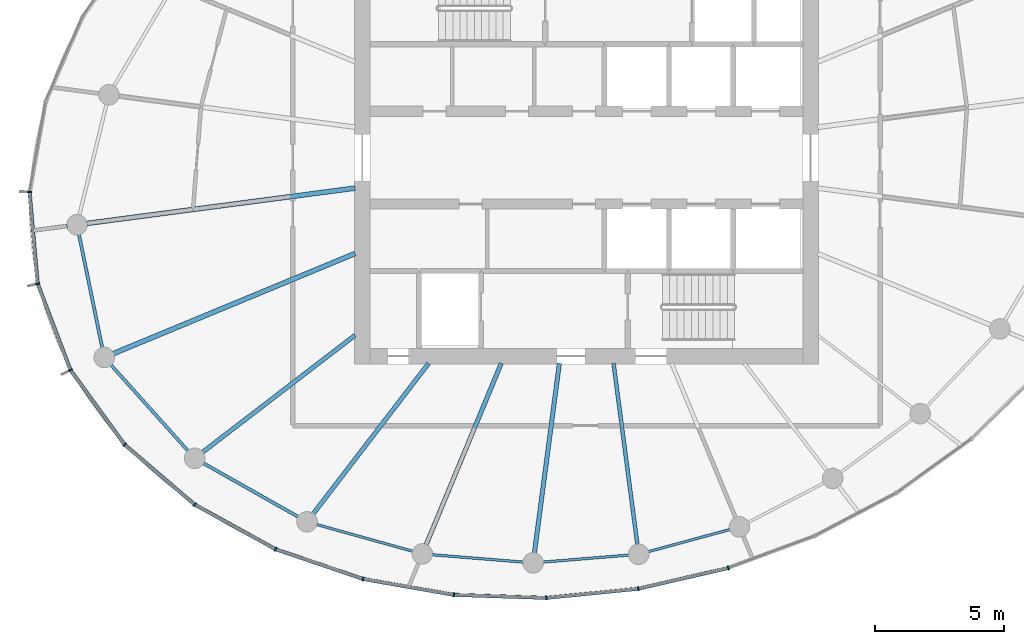
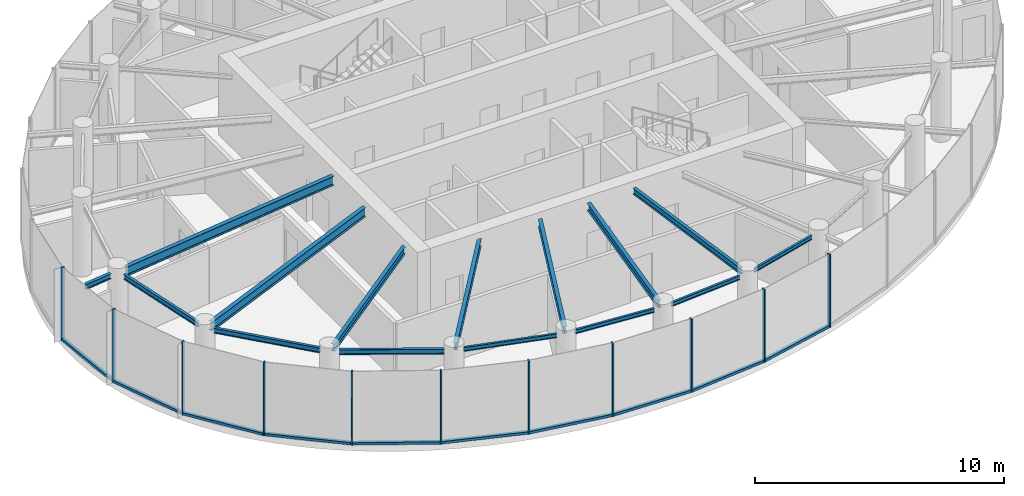
# One storey, part 2 of 13: 21 members, 15 beams, 3 elements without a shape of their own.
"""IFC4 building model written with IfcOpenShell, lengths in metres."""

import ifcopenshell
import ifcopenshell.guid

model = None  # the IFC model being written
_history = None  # IfcOwnerHistory: only IFC2X3 demands one
_inside = {}  # id of a spatial element -> (the spatial element, [elements in it])
_under = {}  # id of a project, library or spatial element -> (it, [spatial elements below it])
_declared = {}  # id of a project -> (the project, [libraries it declares])
_typed = {}  # id of a type object -> (the type object, [elements of that type])
_made_of = {}  # id of a material, layer set ... -> (it, [elements and type objects made of it])


def new_model(schema):
    """Start an empty IFC model of exactly this schema.

    Asked for "IFC4X3", IfcOpenShell would pick the latest addendum, in which some entities
    have other attributes; the version numbers below select the first issue.
    IFC2X3 requires an IfcOwnerHistory on every rooted entity: one is made here for all.
    """
    global model, _history
    if schema == "IFC4X3":
        model = ifcopenshell.file(schema_version=(4, 3, 0, 0))
    else:
        model = ifcopenshell.file(schema=schema)
    _inside.clear()
    _under.clear()
    _declared.clear()
    _typed.clear()
    _made_of.clear()
    _history = None
    if model.schema == "IFC2X3":
        org = make("IfcOrganization", Name="unknown")
        user = make(
            "IfcPersonAndOrganization",
            ThePerson=make("IfcPerson", FamilyName="unknown"),
            TheOrganization=org,
        )
        app = make(
            "IfcApplication",
            ApplicationDeveloper=org,
            Version="unknown",
            ApplicationFullName="unknown",
            ApplicationIdentifier="unknown",
        )
        _history = make(
            "IfcOwnerHistory",
            OwningUser=user,
            OwningApplication=app,
            ChangeAction="ADDED",
            CreationDate=0,
        )
    return model


def make(cls, **values):
    """One entity of the class cls with the attributes given. An attribute that is None is left unset."""
    return model.create_entity(
        cls, **{name: value for name, value in values.items() if value is not None}
    )


def rooted(cls, **values):
    """An entity with a GlobalId (a new one), such as an element, a storey or a relation."""
    return make(cls, GlobalId=ifcopenshell.guid.new(), OwnerHistory=_history, **values)


def si_unit(unit_type, name, prefix=None):
    """IfcSIUnit, for example si_unit("LENGTHUNIT", "METRE", prefix="MILLI")."""
    return make("IfcSIUnit", UnitType=unit_type, Prefix=prefix, Name=name)


def assignment(units):
    """IfcUnitAssignment: the units of a project."""
    return None if units is None else make("IfcUnitAssignment", Units=units)


def point(xyz):
    """IfcCartesianPoint."""
    return None if xyz is None else make("IfcCartesianPoint", Coordinates=xyz)


def direction(xyz):
    """IfcDirection."""
    return None if xyz is None else make("IfcDirection", DirectionRatios=xyz)


def frame(location, z_axis=None, x_axis=None):
    """IfcAxis2Placement3D, a coordinate frame: its origin and axes. An axis left out is left unset."""
    return make(
        "IfcAxis2Placement3D",
        Location=point(location),
        Axis=direction(z_axis),
        RefDirection=direction(x_axis),
    )


def frame_2d(location, x_axis=None):
    """IfcAxis2Placement2D, a coordinate frame in the plane: its origin and x axis."""
    return make(
        "IfcAxis2Placement2D", Location=point(location), RefDirection=direction(x_axis)
    )


def origin():
    """The frame at (0, 0, 0) with its axes left unset."""
    return frame((0.0, 0.0, 0.0))


def origin_2d():
    """The frame at (0, 0) in the plane with its x axis left unset."""
    return frame_2d((0.0, 0.0))


def place(relative_to, where):
    """IfcLocalPlacement: puts the frame where relative to a parent placement (None: the world)."""
    return make(
        "IfcLocalPlacement", PlacementRelTo=relative_to, RelativePlacement=where
    )


def context(
    kind, dimensions, precision=None, world=None, true_north=None, identifier=None
):
    """IfcGeometricRepresentationContext, for example the 3D "Model" context."""
    return make(
        "IfcGeometricRepresentationContext",
        ContextIdentifier=identifier,
        ContextType=kind,
        CoordinateSpaceDimension=dimensions,
        Precision=precision,
        WorldCoordinateSystem=world,
        TrueNorth=true_north,
    )


def subcontext(parent, identifier, kind, view, scale=None):
    """IfcGeometricRepresentationSubContext, for example "Body" below "Model"."""
    return make(
        "IfcGeometricRepresentationSubContext",
        ContextIdentifier=identifier,
        ContextType=kind,
        ParentContext=parent,
        TargetScale=scale,
        TargetView=view,
    )


def project(units=None, contexts=None):
    """IfcProject with its units and contexts."""
    return rooted(
        "IfcProject",
        Name="project",
        RepresentationContexts=contexts,
        UnitsInContext=assignment(units),
    )


def spatial(cls, under=None, at=None, **own):
    """A site, building, storey or space (cls), placed at a placement, below another one or the project."""
    s = rooted(cls, ObjectPlacement=at, **own)
    if under is not None:
        _under.setdefault(under.id(), (under, []))[1].append(s)
    return s


def profile(cls, at=None, kind="AREA", **sizes):
    """A parametric profile (cls). Its sizes go by their IFC names, for example OverallWidth=200.0."""
    return make(cls, ProfileType=kind, Position=at, **sizes)


def rectangle(**sizes):
    """IfcRectangleProfileDef."""
    return profile("IfcRectangleProfileDef", **sizes)


def i_section(**sizes):
    """IfcIShapeProfileDef."""
    return profile("IfcIShapeProfileDef", **sizes)


def extrude(swept, where, along, depth):
    """IfcExtrudedAreaSolid: the profile swept, set in the frame where, extruded along a direction by depth."""
    return make(
        "IfcExtrudedAreaSolid",
        SweptArea=swept,
        Position=where,
        ExtrudedDirection=direction(along),
        Depth=depth,
    )


def shape(context_of_items, identifier, shape_type, items):
    """IfcShapeRepresentation: the items that make up one representation, for example the "Body"."""
    return make(
        "IfcShapeRepresentation",
        ContextOfItems=context_of_items,
        RepresentationIdentifier=identifier,
        RepresentationType=shape_type,
        Items=items,
    )


def source(mapping_origin, context_of_items, identifier, shape_type, items):
    """IfcRepresentationMap: a shape defined once, which mapped items show again and again."""
    return make(
        "IfcRepresentationMap",
        MappingOrigin=mapping_origin,
        MappedRepresentation=shape(context_of_items, identifier, shape_type, items),
    )


def transform(
    local_origin,
    x_axis=None,
    y_axis=None,
    z_axis=None,
    scale=None,
    scale2=None,
    scale3=None,
    uniform=True,
):
    """IfcCartesianTransformationOperator3D, or its non-uniform kind. x_axis, y_axis, z_axis: its Axis1, 2, 3."""
    if uniform:
        return make(
            "IfcCartesianTransformationOperator3D",
            Axis1=direction(x_axis),
            Axis2=direction(y_axis),
            LocalOrigin=point(local_origin),
            Scale=scale,
            Axis3=direction(z_axis),
        )
    return make(
        "IfcCartesianTransformationOperator3DnonUniform",
        Axis1=direction(x_axis),
        Axis2=direction(y_axis),
        LocalOrigin=point(local_origin),
        Scale=scale,
        Axis3=direction(z_axis),
        Scale2=scale2,
        Scale3=scale3,
    )


def mapped(mapping_source, mapping_target):
    """IfcMappedItem: shows the shape of a source again, moved by a transform."""
    return make(
        "IfcMappedItem", MappingSource=mapping_source, MappingTarget=mapping_target
    )


def material(Name=None, Category=None):
    """IfcMaterial."""
    return make("IfcMaterial", Name=Name, Category=Category)


def layer(
    of_material, thickness, ventilated=None, Name=None, Category=None, Priority=None
):
    """IfcMaterialLayer: one layer of a wall or slab, of a material (None: an air gap)."""
    return make(
        "IfcMaterialLayer",
        Material=of_material,
        LayerThickness=thickness,
        IsVentilated=ventilated,
        Name=Name,
        Category=Category,
        Priority=Priority,
    )


def layer_set(layers, Name=None):
    """IfcMaterialLayerSet."""
    return make("IfcMaterialLayerSet", MaterialLayers=layers, LayerSetName=Name)


def material_profile(
    of_material, cross_section, Name=None, Category=None, Priority=None
):
    """IfcMaterialProfile: a cross section and its material."""
    return make(
        "IfcMaterialProfile",
        Name=Name,
        Material=of_material,
        Profile=cross_section,
        Priority=Priority,
        Category=Category,
    )


def profile_set(profiles, Name=None, composite=None):
    """IfcMaterialProfileSet."""
    return make(
        "IfcMaterialProfileSet",
        Name=Name,
        MaterialProfiles=profiles,
        CompositeProfile=composite,
    )


def made_of(thing, what):
    """Note that an element or type object is made of a material, layer set ...; save() writes the relation."""
    if what is not None:
        _made_of.setdefault(what.id(), (what, []))[1].append(thing)
    return thing


def type_object(cls, material=None, **own):
    """A type object (cls), such as IfcWallType, which elements share."""
    return made_of(rooted(cls, **own), material)


def element(
    cls,
    number,
    at=None,
    inside=None,
    cuts=None,
    type_object=None,
    material=None,
    context=None,
    identifier="Body",
    shape_type=None,
    held_by="IfcProductDefinitionShape",
    body=None,
    shapes=None,
    **own,
):
    """One element of the class cls, such as IfcWall. Its Tag is "e" and its number.

    at: its placement. inside: the storey or other place that contains it. cuts: it is an
    opening in that element (IfcRelVoidsElement). A single representation is given by context,
    identifier, shape_type and body (its items); several are given by shapes. held_by: the class
    of the entity that holds the representations. save() writes the other relations.
    """
    e = rooted(cls, Tag="e%d" % number, ObjectPlacement=at, **own)
    if body is not None:
        shapes = [shape(context, identifier, shape_type, body)]
    if shapes is not None:
        e.Representation = make(held_by, Representations=shapes)
    if inside is not None:
        _inside.setdefault(inside.id(), (inside, []))[1].append(e)
    if cuts is not None:
        rooted(
            "IfcRelVoidsElement", RelatingBuildingElement=cuts, RelatedOpeningElement=e
        )
    if type_object is not None:
        _typed.setdefault(type_object.id(), (type_object, []))[1].append(e)
    return made_of(e, material)


def aggregate(whole, parts):
    """IfcRelAggregates: a whole, such as a stair, and the parts it consists of."""
    return rooted("IfcRelAggregates", RelatingObject=whole, RelatedObjects=parts)


def save(model, path):
    """Write the relations noted so far, then the file.

    IfcRelAggregates (storeys below a building ...), IfcRelContainedInSpatialStructure (elements
    in a storey), IfcRelDefinesByType, IfcRelAssociatesMaterial and IfcRelDeclares: one each for
    every whole, place, type object, material and project.
    """
    for whole, parts in _under.values():
        aggregate(whole, parts)
    for where, things in _inside.values():
        rooted(
            "IfcRelContainedInSpatialStructure",
            RelatedElements=things,
            RelatingStructure=where,
        )
    for kind, things in _typed.values():
        rooted("IfcRelDefinesByType", RelatedObjects=things, RelatingType=kind)
    for what, things in _made_of.values():
        rooted("IfcRelAssociatesMaterial", RelatedObjects=things, RelatingMaterial=what)
    for by, libraries in _declared.values():
        rooted("IfcRelDeclares", RelatingContext=by, RelatedDefinitions=libraries)
    model.write(path)


model = new_model("IFC4")

# Units and contexts
model_context = context("Model", 3, precision=1e-05, world=origin(), true_north=direction((0.0, 1.0)))
body_context = subcontext(model_context, "Body", "Model", "MODEL_VIEW")
ifc_project = project(units=[si_unit("LENGTHUNIT", "METRE"), si_unit("AREAUNIT", "SQUARE_METRE"), si_unit("VOLUMEUNIT", "CUBIC_METRE"), si_unit("PLANEANGLEUNIT", "RADIAN"), si_unit("MASSUNIT", "GRAM", prefix="KILO")], contexts=[model_context])

# Site, building, storey
site_placement = place(None, origin())
site = spatial("IfcSite", under=ifc_project, at=site_placement, CompositionType="ELEMENT")
building_placement = place(site_placement, origin())
building = spatial("IfcBuilding", under=site, at=building_placement, Name="Spindrift Exchange Tower", CompositionType="ELEMENT")
storey_placement = place(building_placement, frame((0.0, 0.0, 261.800048828125)))
storey = spatial("IfcBuildingStorey", under=building, at=storey_placement, Name="L64", CompositionType="ELEMENT", Elevation=261.800048828125)

# Beams
ifc_material_1 = material(Name="Steel Grade 300", Category="steel")
ifc_material_profile_1 = material_profile(ifc_material_1, i_section(OverallWidth=0.18994140625, OverallDepth=0.4541015625, WebThickness=0.008544921875, FlangeThickness=0.0126953125, FilletRadius=0.013916015625, at=origin_2d()), Name="460UB67.1")
ifc_profile_set_1 = profile_set([ifc_material_profile_1], Name="Steel Grade 300")
beam_type_1 = type_object("IfcBeamType", Name="Floor Beam 460UB67.1 Steel Grade 300", PredefinedType="BEAM", material=ifc_profile_set_1)
shared_shape_1 = source(origin(), body_context, "Body", "SweptSolid", [
    extrude(i_section(OverallWidth=0.18994140625, OverallDepth=0.4541015625, WebThickness=0.008544921875, FlangeThickness=0.0126953125, FilletRadius=0.013916015625, at=origin_2d()), origin(), (0.0, 0.0, 1.0), 10.510009765625),
])
beam_1_placement = place(storey_placement, frame((43.019775390625, 46.817626953125, 3.35302734375), z_axis=(-0.991445042488, -0.130524816516, 0.0), x_axis=(0.130524816516, -0.991445042488, 0.0)))
element("IfcBeam", 1, at=beam_1_placement, inside=storey, type_object=beam_type_1, Name="L64 radial beam R13A", PredefinedType="BEAM", context=body_context, shape_type="MappedRepresentation", body=[
    mapped(shared_shape_1, transform((0.0, 0.0, 0.0), scale=1.0)),
])
shared_shape_2 = source(origin(), body_context, "Body", "SweptSolid", [
    extrude(i_section(OverallWidth=0.18994140625, OverallDepth=0.4541015625, WebThickness=0.008544921875, FlangeThickness=0.0126953125, FilletRadius=0.013916015625, at=origin_2d()), origin(), (0.0, 0.0, 1.0), 10.160400390625),
])
beam_2_placement = place(storey_placement, frame((43.0185546875, 44.27978515625, 3.35302734375), z_axis=(-0.923880358773, -0.382681437588, 0.0), x_axis=(0.382681437588, -0.923880358773, 0.0)))
element("IfcBeam", 2, at=beam_2_placement, inside=storey, type_object=beam_type_1, Name="L64 radial beam R14A", PredefinedType="BEAM", context=body_context, shape_type="MappedRepresentation", body=[
    mapped(shared_shape_2, transform((0.0, 0.0, 0.0), scale=1.0)),
])
ifc_material_profile_2 = material_profile(ifc_material_1, i_section(OverallWidth=0.1708984375, OverallDepth=0.35205078125, WebThickness=0.0068359375, FlangeThickness=0.009765625, FilletRadius=0.013916015625, at=origin_2d()), Name="360UB44.7")
ifc_profile_set_2 = profile_set([ifc_material_profile_2], Name="Steel Grade 300")
beam_type_2 = type_object("IfcBeamType", Name="Floor Beam 360UB44.7 Steel Grade 300", PredefinedType="BEAM", material=ifc_profile_set_2)
shared_shape_3 = source(origin(), body_context, "Body", "SweptSolid", [
    extrude(i_section(OverallWidth=0.1708984375, OverallDepth=0.35205078125, WebThickness=0.0068359375, FlangeThickness=0.009765625, FilletRadius=0.013916015625, at=origin_2d()), origin(), (0.0, 0.0, 1.0), 7.466796875),
])
beam_3_placement = place(storey_placement, frame((43.015869140625, 41.106201171875, 3.404052734375), z_axis=(-0.793360004804, -0.608752743548, 0.0), x_axis=(0.608752743548, -0.793360004804, 0.0)))
element("IfcBeam", 3, at=beam_3_placement, inside=storey, type_object=beam_type_2, Name="L64 radial beam R15A", PredefinedType="BEAM", context=body_context, shape_type="MappedRepresentation", body=[
    mapped(shared_shape_3, transform((0.0, 0.0, 0.0), scale=1.0)),
])
shared_shape_4 = source(origin(), body_context, "Body", "SweptSolid", [
    extrude(i_section(OverallWidth=0.1708984375, OverallDepth=0.35205078125, WebThickness=0.0068359375, FlangeThickness=0.009765625, FilletRadius=0.013916015625, at=origin_2d()), origin(), (0.0, 0.0, 1.0), 7.3740234375),
])
beam_4_placement = place(storey_placement, frame((45.87353515625, 40.015869140625, 3.404052734375), z_axis=(-0.608751913917, -0.793360641387, 0.0), x_axis=(0.793360641387, -0.608751913917, 0.0)))
element("IfcBeam", 4, at=beam_4_placement, inside=storey, type_object=beam_type_2, Name="L64 radial beam R16A", PredefinedType="BEAM", context=body_context, shape_type="MappedRepresentation", body=[
    mapped(shared_shape_4, transform((0.0, 0.0, 0.0), scale=1.0)),
])
shared_shape_5 = source(origin(), body_context, "Body", "SweptSolid", [
    extrude(i_section(OverallWidth=0.1708984375, OverallDepth=0.35205078125, WebThickness=0.0068359375, FlangeThickness=0.009765625, FilletRadius=0.013916015625, at=origin_2d()), origin(), (0.0, 0.0, 1.0), 7.630859375),
])
beam_5_placement = place(storey_placement, frame((48.69384765625, 40.0185546875, 3.404052734375), z_axis=(-0.382676740702, -0.92388230426, 0.0), x_axis=(0.92388230426, -0.382676740702, 0.0)))
element("IfcBeam", 5, at=beam_5_placement, inside=storey, type_object=beam_type_2, Name="L64 radial beam R17A", PredefinedType="BEAM", context=body_context, shape_type="MappedRepresentation", body=[
    mapped(shared_shape_5, transform((0.0, 0.0, 0.0), scale=1.0)),
])
shared_shape_6 = source(origin(), body_context, "Body", "SweptSolid", [
    extrude(i_section(OverallWidth=0.1708984375, OverallDepth=0.35205078125, WebThickness=0.0068359375, FlangeThickness=0.009765625, FilletRadius=0.013916015625, at=origin_2d()), origin(), (0.0, 0.0, 1.0), 7.43798828125),
])
beam_6_placement = place(storey_placement, frame((50.949462890625, 40.019775390625, 3.404052734375), z_axis=(-0.130540269579, -0.991443007953, 0.0), x_axis=(0.991443007953, -0.130540269579, 0.0)))
element("IfcBeam", 6, at=beam_6_placement, inside=storey, type_object=beam_type_2, Name="L64 radial beam R18A", PredefinedType="BEAM", context=body_context, shape_type="MappedRepresentation", body=[
    mapped(shared_shape_6, transform((0.0, 0.0, 0.0), scale=1.0)),
])
ifc_material_profile_3 = material_profile(ifc_material_1, i_section(OverallWidth=0.14892578125, OverallDepth=0.298095703125, WebThickness=0.005615234375, FlangeThickness=0.008056640625, FilletRadius=0.012939453125, at=origin_2d()), Name="310UB32.0")
ifc_profile_set_3 = profile_set([ifc_material_profile_3], Name="Steel Grade 300")
beam_type_3 = type_object("IfcBeamType", Name="Floor Beam 310UB32.0 Steel Grade 300", PredefinedType="BEAM", material=ifc_profile_set_3)
shared_shape_7 = source(origin(), body_context, "Body", "SweptSolid", [
    extrude(i_section(OverallWidth=0.14892578125, OverallDepth=0.298095703125, WebThickness=0.005615234375, FlangeThickness=0.008056640625, FilletRadius=0.012939453125, at=origin_2d()), origin(), (0.0, 0.0, 1.0), 7.099853515625),
])
beam_7_placement = place(storey_placement, frame((53.050537109375, 40.019775390625, 3.430908203125), z_axis=(0.130532789835, -0.991443992759, 0.0), x_axis=(0.991443992759, 0.130532789835, 0.0)))
element("IfcBeam", 7, at=beam_7_placement, inside=storey, type_object=beam_type_3, Name="L64 radial beam R19A", PredefinedType="BEAM", context=body_context, shape_type="MappedRepresentation", body=[
    mapped(shared_shape_7, transform((0.0, 0.0, 0.0), scale=1.0)),
])
ifc_material_profile_4 = material_profile(ifc_material_1, i_section(OverallWidth=0.1240234375, OverallDepth=0.248046875, WebThickness=0.0048828125, FlangeThickness=0.008056640625, FilletRadius=0.011962890625, at=origin_2d()), Name="250UB25.7")
ifc_profile_set_4 = profile_set([ifc_material_profile_4], Name="Steel Grade 300")
beam_type_4 = type_object("IfcBeamType", Name="Edge Beam 250UB25.7 Steel Grade 300", PredefinedType="SPANDREL", material=ifc_profile_set_4)
shared_shape_8 = source(origin(), body_context, "Body", "SweptSolid", [
    extrude(i_section(OverallWidth=0.1240234375, OverallDepth=0.248046875, WebThickness=0.0048828125, FlangeThickness=0.008056640625, FilletRadius=0.011962890625, at=origin_2d()), origin(), (0.0, 0.0, 1.0), 4.497802734375),
])
beam_8_placement = place(storey_placement, frame((32.299072265625, 45.024169921875, 3.4560546875), z_axis=(0.201217935785, -0.979546498293, 0.0), x_axis=(0.979546498293, 0.201217935785, 0.0)))
element("IfcBeam", 8, at=beam_8_placement, inside=storey, type_object=beam_type_4, Name="L64 edge beam E13", PredefinedType="SPANDREL", context=body_context, shape_type="MappedRepresentation", body=[
    mapped(shared_shape_8, transform((0.0, 0.0, 0.0), scale=1.0)),
])
shared_shape_9 = source(origin(), body_context, "Body", "SweptSolid", [
    extrude(i_section(OverallWidth=0.1240234375, OverallDepth=0.248046875, WebThickness=0.0048828125, FlangeThickness=0.008056640625, FilletRadius=0.011962890625, at=origin_2d()), origin(), (0.0, 0.0, 1.0), 4.499755859375),
])
beam_9_placement = place(storey_placement, frame((33.533935546875, 39.963134765625, 3.4560546875), z_axis=(0.667419502646, -0.744681950558, 0.0), x_axis=(0.744681950558, 0.667419502646, 0.0)))
element("IfcBeam", 9, at=beam_9_placement, inside=storey, type_object=beam_type_4, Name="L64 edge beam E14", PredefinedType="SPANDREL", context=body_context, shape_type="MappedRepresentation", body=[
    mapped(shared_shape_9, transform((0.0, 0.0, 0.0), scale=1.0)),
])
shared_shape_10 = source(origin(), body_context, "Body", "SweptSolid", [
    extrude(i_section(OverallWidth=0.1240234375, OverallDepth=0.248046875, WebThickness=0.0048828125, FlangeThickness=0.008056640625, FilletRadius=0.011962890625, at=origin_2d()), origin(), (0.0, 0.0, 1.0), 4.2509765625),
])
beam_10_placement = place(storey_placement, frame((37.121337890625, 36.142333984375, 3.4560546875), z_axis=(0.870615246867, -0.491964523033, 0.0), x_axis=(0.491964523033, 0.870615246867, 0.0)))
element("IfcBeam", 10, at=beam_10_placement, inside=storey, type_object=beam_type_4, Name="L64 edge beam E15", PredefinedType="SPANDREL", context=body_context, shape_type="MappedRepresentation", body=[
    mapped(shared_shape_10, transform((0.0, 0.0, 0.0), scale=1.0)),
])
ifc_material_profile_5 = material_profile(ifc_material_1, i_section(OverallWidth=0.09912109375, OverallDepth=0.197998046875, WebThickness=0.00439453125, FlangeThickness=0.007080078125, FilletRadius=0.010986328125, at=origin_2d()), Name="200UB18.2")
ifc_profile_set_5 = profile_set([ifc_material_profile_5], Name="Steel Grade 300")
beam_type_5 = type_object("IfcBeamType", Name="Edge Beam 200UB18.2 Steel Grade 300", PredefinedType="SPANDREL", material=ifc_profile_set_5)
shared_shape_11 = source(origin(), body_context, "Body", "SweptSolid", [
    extrude(i_section(OverallWidth=0.09912109375, OverallDepth=0.197998046875, WebThickness=0.00439453125, FlangeThickness=0.007080078125, FilletRadius=0.010986328125, at=origin_2d()), origin(), (0.0, 0.0, 1.0), 3.885498046875),
])
beam_11_placement = place(storey_placement, frame((41.519287109375, 33.761962890625, 3.48095703125), z_axis=(0.963333134661, -0.268308165482, 0.0), x_axis=(0.268308165482, 0.963333134661, 0.0)))
element("IfcBeam", 11, at=beam_11_placement, inside=storey, type_object=beam_type_5, Name="L64 edge beam E16", PredefinedType="SPANDREL", context=body_context, shape_type="MappedRepresentation", body=[
    mapped(shared_shape_11, transform((0.0, 0.0, 0.0), scale=1.0)),
])
shared_shape_12 = source(origin(), body_context, "Body", "SweptSolid", [
    extrude(i_section(OverallWidth=0.09912109375, OverallDepth=0.197998046875, WebThickness=0.00439453125, FlangeThickness=0.007080078125, FilletRadius=0.010986328125, at=origin_2d()), origin(), (0.0, 0.0, 1.0), 3.5546875),
])
beam_12_placement = place(storey_placement, frame((46.007080078125, 32.586669921875, 3.48095703125), z_axis=(0.996727103969, -0.080839842983, 0.0), x_axis=(0.080839842983, 0.996727103969, 0.0)))
element("IfcBeam", 12, at=beam_12_placement, inside=storey, type_object=beam_type_5, Name="L64 edge beam E17", PredefinedType="SPANDREL", context=body_context, shape_type="MappedRepresentation", body=[
    mapped(shared_shape_12, transform((0.0, 0.0, 0.0), scale=1.0)),
])
shared_shape_13 = source(origin(), body_context, "Body", "SweptSolid", [
    extrude(i_section(OverallWidth=0.09912109375, OverallDepth=0.197998046875, WebThickness=0.00439453125, FlangeThickness=0.007080078125, FilletRadius=0.010986328125, at=origin_2d()), origin(), (0.0, 0.0, 1.0), 3.351806640625),
])
beam_13_placement = place(storey_placement, frame((50.3076171875, 32.2998046875, 3.48095703125), z_axis=(0.996672670999, 0.081508201334, 0.0), x_axis=(-0.081508201334, 0.996672670999, 0.0)))
element("IfcBeam", 13, at=beam_13_placement, inside=storey, type_object=beam_type_5, Name="L64 edge beam E18", PredefinedType="SPANDREL", context=body_context, shape_type="MappedRepresentation", body=[
    mapped(shared_shape_13, transform((0.0, 0.0, 0.0), scale=1.0)),
])
shared_shape_14 = source(origin(), body_context, "Body", "SweptSolid", [
    extrude(i_section(OverallWidth=0.09912109375, OverallDepth=0.197998046875, WebThickness=0.00439453125, FlangeThickness=0.007080078125, FilletRadius=0.010986328125, at=origin_2d()), origin(), (0.0, 0.0, 1.0), 3.2919921875),
])
beam_14_placement = place(storey_placement, frame((54.3935546875, 32.70361328125, 3.48095703125), z_axis=(0.965045644564, 0.262081864896, 0.0), x_axis=(-0.262081864896, 0.965045644564, 0.0)))
element("IfcBeam", 14, at=beam_14_placement, inside=storey, type_object=beam_type_5, Name="L64 edge beam E19", PredefinedType="SPANDREL", context=body_context, shape_type="MappedRepresentation", body=[
    mapped(shared_shape_14, transform((0.0, 0.0, 0.0), scale=1.0)),
])
ifc_material_profile_6 = material_profile(ifc_material_1, i_section(OverallWidth=0.14599609375, OverallDepth=0.251953125, WebThickness=0.006103515625, FlangeThickness=0.008544921875, FilletRadius=0.011962890625, at=origin_2d()), Name="250UB31.4")
ifc_profile_set_6 = profile_set([ifc_material_profile_6], Name="Steel Grade 300")
beam_type_6 = type_object("IfcBeamType", Name="Cantilever Beam 250UB31.4 Steel Grade 300", PredefinedType="BEAM", material=ifc_profile_set_6)
shared_shape_15 = source(origin(), body_context, "Body", "SweptSolid", [
    extrude(i_section(OverallWidth=0.14599609375, OverallDepth=0.251953125, WebThickness=0.006103515625, FlangeThickness=0.008544921875, FilletRadius=0.011962890625, at=origin_2d()), origin(), (0.0, 0.0, 1.0), 1.27001953125),
])
beam_15_placement = place(storey_placement, frame((31.845947265625, 45.3466796875, 3.453857421875), z_axis=(-0.991446442885, -0.130514178891, 0.0), x_axis=(0.130514178891, -0.991446442885, 0.0)))
element("IfcBeam", 15, at=beam_15_placement, inside=storey, type_object=beam_type_6, Name="L64 cantilever beam R13T", PredefinedType="BEAM", context=body_context, shape_type="MappedRepresentation", body=[
    mapped(shared_shape_15, transform((0.0, 0.0, 0.0), scale=1.0)),
])

# Curtain wall, member
ifc_material_2 = material(Name="Fritted laminated glass with bronze frame", Category="glass")
ifc_layer = layer(ifc_material_2, 0.159912109375)
ifc_layer_set = layer_set([ifc_layer], Name="ZONE 5 BRONZE FRITTED WALL")
curtain_wall_type = type_object("IfcCurtainWallType", Name="ZONE 5 BRONZE FRITTED WALL", PredefinedType="NOTDEFINED", material=ifc_layer_set)
curtain_wall_1_placement = place(storey_placement, origin())
curtain_wall_1 = element("IfcCurtainWall", 16, at=curtain_wall_1_placement, inside=storey, type_object=curtain_wall_type, Name="L64 Zone 5 Bronze Fritted Wall run 5", PredefinedType="NOTDEFINED")
ifc_material_3 = material(Name="Bronze anodised aluminium", Category="aluminium")
ifc_material_profile_7 = material_profile(ifc_material_3, rectangle(XDim=0.139892578125, YDim=0.1201171875, at=origin_2d()), Name="ZONE 5 BRONZE FRITTED WALL TRANSOM 140X120")
ifc_profile_set_7 = profile_set([ifc_material_profile_7], Name="Bronze anodised aluminium")
member_type_1 = type_object("IfcMemberType", Name="ZONE 5 BRONZE FRITTED WALL TRANSOM 140X120", PredefinedType="USERDEFINED", material=ifc_profile_set_7)
shared_shape_16 = source(origin(), body_context, "Body", "SweptSolid", [
    extrude(rectangle(XDim=0.139892578125, YDim=0.1201171875, at=origin_2d()), origin(), (0.0, 0.0, 1.0), 3.5263671875),
])
member_1_placement = place(storey_placement, frame((50.470458984375, 30.9150390625, 0.06005859375), z_axis=(0.995114349621, 0.098729079702, 0.0), x_axis=(-0.098729079702, 0.995114349621, 0.0)))
member_1 = element("IfcMember", 17, at=member_1_placement, type_object=member_type_1, Name="L64 transom CW-5.25", ObjectType="TRANSOM", PredefinedType="USERDEFINED", context=body_context, shape_type="MappedRepresentation", body=[
    mapped(shared_shape_16, transform((0.0, 0.0, 0.0), scale=1.0)),
])

# Curtain wall, members
curtain_wall_2_placement = place(storey_placement, origin())
curtain_wall_2 = element("IfcCurtainWall", 18, at=curtain_wall_2_placement, inside=storey, type_object=curtain_wall_type, Name="L64 Zone 5 Bronze Fritted Wall run 4", PredefinedType="NOTDEFINED")
shared_shape_17 = source(origin(), body_context, "Body", "SweptSolid", [
    extrude(rectangle(XDim=0.139892578125, YDim=0.1201171875, at=origin_2d()), origin(), (0.0, 0.0, 1.0), 3.524658203125),
])
member_2_placement = place(storey_placement, frame((39.959228515625, 32.79052734375, 0.06005859375), z_axis=(0.946711931826, -0.322081539581, 0.0), x_axis=(0.322081539581, 0.946711931826, 0.0)))
member_2 = element("IfcMember", 19, at=member_2_placement, type_object=member_type_1, Name="L64 transom CW-5.22", ObjectType="TRANSOM", PredefinedType="USERDEFINED", context=body_context, shape_type="MappedRepresentation", body=[
    mapped(shared_shape_17, transform((0.0, 0.0, 0.0), scale=1.0)),
])
shared_shape_18 = source(origin(), body_context, "Body", "SweptSolid", [
    extrude(rectangle(XDim=0.139892578125, YDim=0.1201171875, at=origin_2d()), origin(), (0.0, 0.0, 1.0), 3.521484375),
])
member_3_placement = place(storey_placement, frame((34.093994140625, 36.839111328125, 0.06005859375), z_axis=(0.759911984937, -0.650025980364, 0.0), x_axis=(0.650025980364, 0.759911984937, 0.0)))
member_3 = element("IfcMember", 20, at=member_3_placement, type_object=member_type_1, Name="L64 transom CW-5.20", ObjectType="TRANSOM", PredefinedType="USERDEFINED", context=body_context, shape_type="MappedRepresentation", body=[
    mapped(shared_shape_18, transform((0.0, 0.0, 0.0), scale=1.0)),
])
shared_shape_19 = source(origin(), body_context, "Body", "SweptSolid", [
    extrude(rectangle(XDim=0.139892578125, YDim=0.1201171875, at=origin_2d()), origin(), (0.0, 0.0, 1.0), 3.519287109375),
])
member_4_placement = place(storey_placement, frame((31.9873046875, 39.731689453125, 0.06005859375), z_axis=(0.587148299835, -0.809479384543, 0.0), x_axis=(0.809479384543, 0.587148299835, 0.0)))
member_4 = element("IfcMember", 21, at=member_4_placement, type_object=member_type_1, Name="L64 transom CW-5.19", ObjectType="TRANSOM", PredefinedType="USERDEFINED", context=body_context, shape_type="MappedRepresentation", body=[
    mapped(shared_shape_19, transform((0.0, 0.0, 0.0), scale=1.0)),
])

# Curtain wall, member
curtain_wall_3_placement = place(storey_placement, origin())
curtain_wall_3 = element("IfcCurtainWall", 22, at=curtain_wall_3_placement, inside=storey, type_object=curtain_wall_type, Name="L64 Zone 5 Bronze Fritted Wall run 3", PredefinedType="NOTDEFINED")
shared_shape_20 = source(origin(), body_context, "Body", "SweptSolid", [
    extrude(rectangle(XDim=0.139892578125, YDim=0.1201171875, at=origin_2d()), origin(), (0.0, 0.0, 1.0), 3.517333984375),
])
member_5_placement = place(storey_placement, frame((30.383544921875, 46.633056640625, 0.06005859375), z_axis=(0.088357679402, -0.996088811548, 0.0), x_axis=(0.996088811548, 0.088357679402, 0.0)))
member_5 = element("IfcMember", 23, at=member_5_placement, type_object=member_type_1, Name="L64 transom CW-5.17", ObjectType="TRANSOM", PredefinedType="USERDEFINED", context=body_context, shape_type="MappedRepresentation", body=[
    mapped(shared_shape_20, transform((0.0, 0.0, 0.0), scale=1.0)),
])

# Member
shared_shape_21 = source(origin(), body_context, "Body", "SweptSolid", [
    extrude(rectangle(XDim=0.139892578125, YDim=0.1201171875, at=origin_2d()), origin(), (0.0, 0.0, 1.0), 3.526123046875),
])
member_6_placement = place(storey_placement, frame((46.886474609375, 31.027587890625, 0.06005859375), z_axis=(0.999472602049, -0.032473339131, 0.0), x_axis=(0.032473339131, 0.999472602049, 0.0)))
member_6 = element("IfcMember", 24, at=member_6_placement, type_object=member_type_1, Name="L64 transom CW-5.24", ObjectType="TRANSOM", PredefinedType="USERDEFINED", context=body_context, shape_type="MappedRepresentation", body=[
    mapped(shared_shape_21, transform((0.0, 0.0, 0.0), scale=1.0)),
])

shared_shape_22 = source(origin(), body_context, "Body", "SweptSolid", [
    extrude(rectangle(XDim=0.139892578125, YDim=0.1201171875, at=origin_2d()), origin(), (0.0, 0.0, 1.0), 3.5234375),
])
member_7_placement = place(storey_placement, frame((36.819091796875, 34.51611328125, 0.06005859375), z_axis=(0.87568579729, -0.482881335759, 0.0), x_axis=(0.482881335759, 0.87568579729, 0.0)))
member_7 = element("IfcMember", 25, at=member_7_placement, type_object=member_type_1, Name="L64 transom CW-5.21", ObjectType="TRANSOM", PredefinedType="USERDEFINED", context=body_context, shape_type="MappedRepresentation", body=[
    mapped(shared_shape_22, transform((0.0, 0.0, 0.0), scale=1.0)),
])

shared_shape_23 = source(origin(), body_context, "Body", "SweptSolid", [
    extrude(rectangle(XDim=0.139892578125, YDim=0.1201171875, at=origin_2d()), origin(), (0.0, 0.0, 1.0), 3.525634765625),
])
member_8_placement = place(storey_placement, frame((43.35400390625, 31.640380859375, 0.06005859375), z_axis=(0.985083917921, -0.172074619432, 0.0), x_axis=(0.172074619432, 0.985083917921, 0.0)))
member_8 = element("IfcMember", 26, at=member_8_placement, type_object=member_type_1, Name="L64 transom CW-5.23", ObjectType="TRANSOM", PredefinedType="USERDEFINED", context=body_context, shape_type="MappedRepresentation", body=[
    mapped(shared_shape_23, transform((0.0, 0.0, 0.0), scale=1.0)),
])

ifc_material_profile_8 = material_profile(ifc_material_3, rectangle(XDim=0.06005859375, YDim=0.159912109375, at=origin_2d()), Name="ZONE 5 BRONZE FRITTED WALL MULLION 60X160")
ifc_profile_set_8 = profile_set([ifc_material_profile_8], Name="Bronze anodised aluminium")
member_type_2 = type_object("IfcMemberType", Name="ZONE 5 BRONZE FRITTED WALL MULLION 60X160", PredefinedType="MULLION", material=ifc_profile_set_8)
shared_shape_24 = source(origin(), body_context, "Body", "SweptSolid", [
    extrude(rectangle(XDim=0.06005859375, YDim=0.159912109375, at=origin_2d()), origin(), (0.0, 0.0, 1.0), 3.579833984375),
])
member_9_placement = place(storey_placement, frame((30.380859375, 46.6630859375, 0.0), z_axis=(0.0, 0.0, 1.0), x_axis=(-0.043406388949, -0.999057498545, 0.0)))
member_9 = element("IfcMember", 27, at=member_9_placement, type_object=member_type_2, Name="L64 mullion CW-5.17", PredefinedType="MULLION", context=body_context, shape_type="MappedRepresentation", body=[
    mapped(shared_shape_24, transform((0.0, 0.0, 0.0), scale=1.0)),
])

member_10_placement = place(storey_placement, frame((30.697021484375, 43.099609375, 0.0), z_axis=(0.0, 0.0, 1.0), x_axis=(0.224184238122, -0.974546780497, 0.0)))
member_10 = element("IfcMember", 28, at=member_10_placement, type_object=member_type_2, Name="L64 mullion CW-5.18", PredefinedType="MULLION", context=body_context, shape_type="MappedRepresentation", body=[
    mapped(shared_shape_24, transform((0.0, 0.0, 0.0), scale=1.0)),
])

member_11_placement = place(storey_placement, frame((31.9697265625, 39.756103515625, 0.0), z_axis=(0.0, 0.0, 1.0), x_axis=(0.47559237422, -0.879665785162, 0.0)))
member_11 = element("IfcMember", 29, at=member_11_placement, type_object=member_type_2, Name="L64 mullion CW-5.19", PredefinedType="MULLION", context=body_context, shape_type="MappedRepresentation", body=[
    mapped(shared_shape_24, transform((0.0, 0.0, 0.0), scale=1.0)),
])

member_12_placement = place(storey_placement, frame((34.0712890625, 36.858642578125, 0.0), z_axis=(0.0, 0.0, 1.0), x_axis=(0.678227586561, -0.734851917619, 0.0)))
member_12 = element("IfcMember", 30, at=member_12_placement, type_object=member_type_2, Name="L64 mullion CW-5.20", PredefinedType="MULLION", context=body_context, shape_type="MappedRepresentation", body=[
    mapped(shared_shape_24, transform((0.0, 0.0, 0.0), scale=1.0)),
])

member_13_placement = place(storey_placement, frame((36.79296875, 34.530517578125, 0.0), z_axis=(0.0, 0.0, 1.0), x_axis=(0.822067387183, -0.569390209725, 0.0)))
member_13 = element("IfcMember", 31, at=member_13_placement, type_object=member_type_2, Name="L64 mullion CW-5.21", PredefinedType="MULLION", context=body_context, shape_type="MappedRepresentation", body=[
    mapped(shared_shape_24, transform((0.0, 0.0, 0.0), scale=1.0)),
])

member_14_placement = place(storey_placement, frame((39.930908203125, 32.80029296875, 0.0), z_axis=(0.0, 0.0, 1.0), x_axis=(0.914735106209, -0.404054062557, 0.0)))
member_14 = element("IfcMember", 32, at=member_14_placement, type_object=member_type_2, Name="L64 mullion CW-5.22", PredefinedType="MULLION", context=body_context, shape_type="MappedRepresentation", body=[
    mapped(shared_shape_24, transform((0.0, 0.0, 0.0), scale=1.0)),
])

member_15_placement = place(storey_placement, frame((43.324462890625, 31.6455078125, 0.0), z_axis=(0.0, 0.0, 1.0), x_axis=(0.968796528816, -0.247857389954, 0.0)))
member_15 = element("IfcMember", 33, at=member_15_placement, type_object=member_type_2, Name="L64 mullion CW-5.23", PredefinedType="MULLION", context=body_context, shape_type="MappedRepresentation", body=[
    mapped(shared_shape_24, transform((0.0, 0.0, 0.0), scale=1.0)),
])

member_16_placement = place(storey_placement, frame((46.856689453125, 31.028564453125, 0.0), z_axis=(0.0, 0.0, 1.0), x_axis=(0.994727944675, -0.102549091083, 0.0)))
member_16 = element("IfcMember", 34, at=member_16_placement, type_object=member_type_2, Name="L64 mullion CW-5.24", PredefinedType="MULLION", context=body_context, shape_type="MappedRepresentation", body=[
    mapped(shared_shape_24, transform((0.0, 0.0, 0.0), scale=1.0)),
])

aggregate(curtain_wall_2, [member_11, member_4, member_12, member_3, member_13, member_7, member_14, member_2, member_15, member_8, member_16, member_6])

member_17_placement = place(storey_placement, frame((50.440673828125, 30.912109375, 0.0), z_axis=(0.0, 0.0, 1.0), x_axis=(0.999448356203, 0.033211192123, 0.0)))
member_17 = element("IfcMember", 35, at=member_17_placement, type_object=member_type_2, Name="L64 mullion CW-5.25", PredefinedType="MULLION", context=body_context, shape_type="MappedRepresentation", body=[
    mapped(shared_shape_24, transform((0.0, 0.0, 0.0), scale=1.0)),
])

member_18_placement = place(storey_placement, frame((54.009521484375, 31.26611328125, 0.0), z_axis=(0.0, 0.0, 1.0), x_axis=(0.986823417036, 0.161800938157, 0.0)))
member_18 = element("IfcMember", 36, at=member_18_placement, type_object=member_type_2, Name="L64 mullion CW-5.26", PredefinedType="MULLION", context=body_context, shape_type="MappedRepresentation", body=[
    mapped(shared_shape_24, transform((0.0, 0.0, 0.0), scale=1.0)),
])

member_19_placement = place(storey_placement, frame((57.50439453125, 32.0703125, 0.0), z_axis=(0.0, 0.0, 1.0), x_axis=(0.958334677572, 0.285647765198, 0.0)))
member_19 = element("IfcMember", 37, at=member_19_placement, type_object=member_type_2, Name="L64 mullion CW-5.27", PredefinedType="MULLION", context=body_context, shape_type="MappedRepresentation", body=[
    mapped(shared_shape_24, transform((0.0, 0.0, 0.0), scale=1.0)),
])

shared_shape_25 = source(origin(), body_context, "Body", "SweptSolid", [
    extrude(rectangle(XDim=0.139892578125, YDim=0.1201171875, at=origin_2d()), origin(), (0.0, 0.0, 1.0), 3.526611328125),
])
member_20_placement = place(storey_placement, frame((54.03857421875, 31.27294921875, 0.06005859375), z_axis=(0.974550800787, 0.224166760883, 0.0), x_axis=(-0.224166760883, 0.974550800787, 0.0)))
member_20 = element("IfcMember", 38, at=member_20_placement, type_object=member_type_1, Name="L64 transom CW-5.26", ObjectType="TRANSOM", PredefinedType="USERDEFINED", context=body_context, shape_type="MappedRepresentation", body=[
    mapped(shared_shape_25, transform((0.0, 0.0, 0.0), scale=1.0)),
])

aggregate(curtain_wall_1, [member_17, member_1, member_18, member_20, member_19])

shared_shape_26 = source(origin(), body_context, "Body", "SweptSolid", [
    extrude(rectangle(XDim=0.139892578125, YDim=0.1201171875, at=origin_2d()), origin(), (0.0, 0.0, 1.0), 3.517822265625),
])
member_21_placement = place(storey_placement, frame((30.70751953125, 43.071533203125, 0.06005859375), z_axis=(0.355819276189, -0.934554783141, 0.0), x_axis=(0.934554783141, 0.355819276189, 0.0)))
member_21 = element("IfcMember", 39, at=member_21_placement, type_object=member_type_1, Name="L64 transom CW-5.18", ObjectType="TRANSOM", PredefinedType="USERDEFINED", context=body_context, shape_type="MappedRepresentation", body=[
    mapped(shared_shape_26, transform((0.0, 0.0, 0.0), scale=1.0)),
])

aggregate(curtain_wall_3, [member_9, member_5, member_10, member_21])

save(model, "model.ifc")
